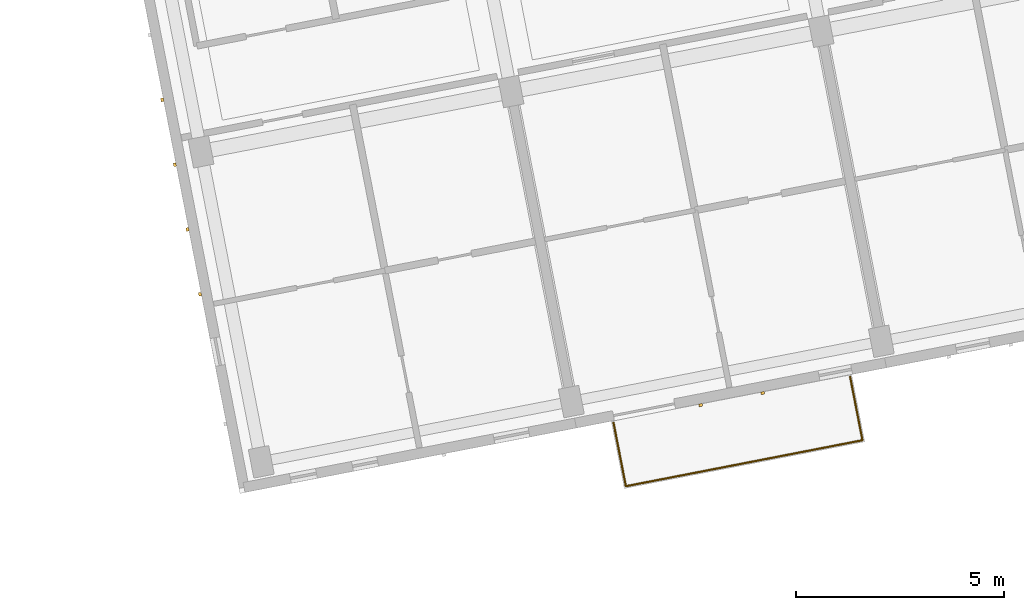
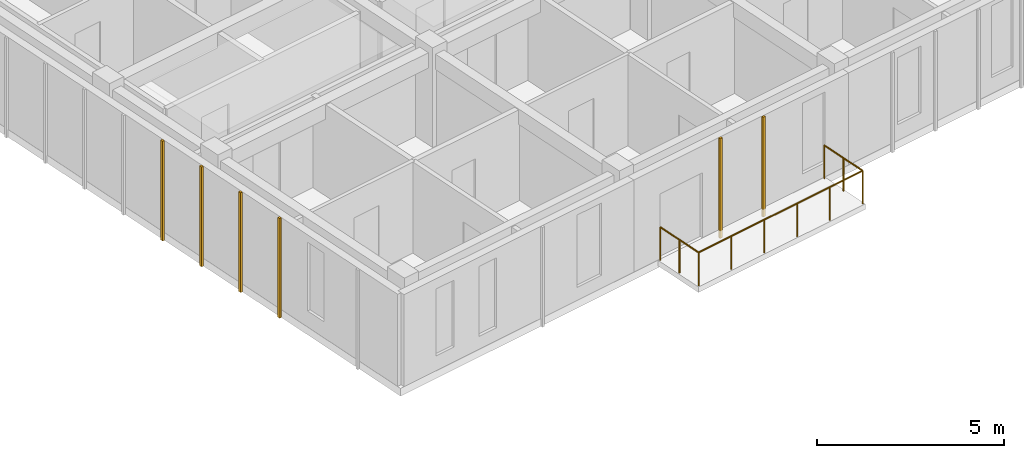
# One storey, part 48 of 74: 6 coverings, 1 railing.
"""IFC4 building model written with IfcOpenShell, lengths in metres."""

import ifcopenshell
import ifcopenshell.guid

model = None  # the IFC model being written
_history = None  # IfcOwnerHistory: only IFC2X3 demands one
_inside = {}  # id of a spatial element -> (the spatial element, [elements in it])
_under = {}  # id of a project, library or spatial element -> (it, [spatial elements below it])
_declared = {}  # id of a project -> (the project, [libraries it declares])
_typed = {}  # id of a type object -> (the type object, [elements of that type])
_made_of = {}  # id of a material, layer set ... -> (it, [elements and type objects made of it])


def new_model(schema):
    """Start an empty IFC model of exactly this schema.

    Asked for "IFC4X3", IfcOpenShell would pick the latest addendum, in which some entities
    have other attributes; the version numbers below select the first issue.
    IFC2X3 requires an IfcOwnerHistory on every rooted entity: one is made here for all.
    """
    global model, _history
    if schema == "IFC4X3":
        model = ifcopenshell.file(schema_version=(4, 3, 0, 0))
    else:
        model = ifcopenshell.file(schema=schema)
    _inside.clear()
    _under.clear()
    _declared.clear()
    _typed.clear()
    _made_of.clear()
    _history = None
    if model.schema == "IFC2X3":
        org = make("IfcOrganization", Name="unknown")
        user = make(
            "IfcPersonAndOrganization",
            ThePerson=make("IfcPerson", FamilyName="unknown"),
            TheOrganization=org,
        )
        app = make(
            "IfcApplication",
            ApplicationDeveloper=org,
            Version="unknown",
            ApplicationFullName="unknown",
            ApplicationIdentifier="unknown",
        )
        _history = make(
            "IfcOwnerHistory",
            OwningUser=user,
            OwningApplication=app,
            ChangeAction="ADDED",
            CreationDate=0,
        )
    return model


def make(cls, **values):
    """One entity of the class cls with the attributes given. An attribute that is None is left unset."""
    return model.create_entity(
        cls, **{name: value for name, value in values.items() if value is not None}
    )


def rooted(cls, **values):
    """An entity with a GlobalId (a new one), such as an element, a storey or a relation."""
    return make(cls, GlobalId=ifcopenshell.guid.new(), OwnerHistory=_history, **values)


def si_unit(unit_type, name, prefix=None):
    """IfcSIUnit, for example si_unit("LENGTHUNIT", "METRE", prefix="MILLI")."""
    return make("IfcSIUnit", UnitType=unit_type, Prefix=prefix, Name=name)


def assignment(units):
    """IfcUnitAssignment: the units of a project."""
    return None if units is None else make("IfcUnitAssignment", Units=units)


def point(xyz):
    """IfcCartesianPoint."""
    return None if xyz is None else make("IfcCartesianPoint", Coordinates=xyz)


def direction(xyz):
    """IfcDirection."""
    return None if xyz is None else make("IfcDirection", DirectionRatios=xyz)


def frame(location, z_axis=None, x_axis=None):
    """IfcAxis2Placement3D, a coordinate frame: its origin and axes. An axis left out is left unset."""
    return make(
        "IfcAxis2Placement3D",
        Location=point(location),
        Axis=direction(z_axis),
        RefDirection=direction(x_axis),
    )


def frame_2d(location, x_axis=None):
    """IfcAxis2Placement2D, a coordinate frame in the plane: its origin and x axis."""
    return make(
        "IfcAxis2Placement2D", Location=point(location), RefDirection=direction(x_axis)
    )


def origin():
    """The frame at (0, 0, 0) with its axes left unset."""
    return frame((0.0, 0.0, 0.0))


def origin_2d():
    """The frame at (0, 0) in the plane with its x axis left unset."""
    return frame_2d((0.0, 0.0))


def place(relative_to, where):
    """IfcLocalPlacement: puts the frame where relative to a parent placement (None: the world)."""
    return make(
        "IfcLocalPlacement", PlacementRelTo=relative_to, RelativePlacement=where
    )


def context(
    kind, dimensions, precision=None, world=None, true_north=None, identifier=None
):
    """IfcGeometricRepresentationContext, for example the 3D "Model" context."""
    return make(
        "IfcGeometricRepresentationContext",
        ContextIdentifier=identifier,
        ContextType=kind,
        CoordinateSpaceDimension=dimensions,
        Precision=precision,
        WorldCoordinateSystem=world,
        TrueNorth=true_north,
    )


def subcontext(parent, identifier, kind, view, scale=None):
    """IfcGeometricRepresentationSubContext, for example "Body" below "Model"."""
    return make(
        "IfcGeometricRepresentationSubContext",
        ContextIdentifier=identifier,
        ContextType=kind,
        ParentContext=parent,
        TargetScale=scale,
        TargetView=view,
    )


def project(units=None, contexts=None):
    """IfcProject with its units and contexts."""
    return rooted(
        "IfcProject",
        Name="project",
        RepresentationContexts=contexts,
        UnitsInContext=assignment(units),
    )


def spatial(cls, under=None, at=None, **own):
    """A site, building, storey or space (cls), placed at a placement, below another one or the project."""
    s = rooted(cls, ObjectPlacement=at, **own)
    if under is not None:
        _under.setdefault(under.id(), (under, []))[1].append(s)
    return s


def profile(cls, at=None, kind="AREA", **sizes):
    """A parametric profile (cls). Its sizes go by their IFC names, for example OverallWidth=200.0."""
    return make(cls, ProfileType=kind, Position=at, **sizes)


def rectangle(**sizes):
    """IfcRectangleProfileDef."""
    return profile("IfcRectangleProfileDef", **sizes)


def circle(**sizes):
    """IfcCircleProfileDef."""
    return profile("IfcCircleProfileDef", **sizes)


def extrude(swept, where, along, depth):
    """IfcExtrudedAreaSolid: the profile swept, set in the frame where, extruded along a direction by depth."""
    return make(
        "IfcExtrudedAreaSolid",
        SweptArea=swept,
        Position=where,
        ExtrudedDirection=direction(along),
        Depth=depth,
    )


def shape(context_of_items, identifier, shape_type, items):
    """IfcShapeRepresentation: the items that make up one representation, for example the "Body"."""
    return make(
        "IfcShapeRepresentation",
        ContextOfItems=context_of_items,
        RepresentationIdentifier=identifier,
        RepresentationType=shape_type,
        Items=items,
    )


def material(Name=None, Category=None):
    """IfcMaterial."""
    return make("IfcMaterial", Name=Name, Category=Category)


def layer(
    of_material, thickness, ventilated=None, Name=None, Category=None, Priority=None
):
    """IfcMaterialLayer: one layer of a wall or slab, of a material (None: an air gap)."""
    return make(
        "IfcMaterialLayer",
        Material=of_material,
        LayerThickness=thickness,
        IsVentilated=ventilated,
        Name=Name,
        Category=Category,
        Priority=Priority,
    )


def layer_set(layers, Name=None):
    """IfcMaterialLayerSet."""
    return make("IfcMaterialLayerSet", MaterialLayers=layers, LayerSetName=Name)


def made_of(thing, what):
    """Note that an element or type object is made of a material, layer set ...; save() writes the relation."""
    if what is not None:
        _made_of.setdefault(what.id(), (what, []))[1].append(thing)
    return thing


def type_object(cls, material=None, **own):
    """A type object (cls), such as IfcWallType, which elements share."""
    return made_of(rooted(cls, **own), material)


def element(
    cls,
    number,
    at=None,
    inside=None,
    cuts=None,
    type_object=None,
    material=None,
    context=None,
    identifier="Body",
    shape_type=None,
    held_by="IfcProductDefinitionShape",
    body=None,
    shapes=None,
    **own,
):
    """One element of the class cls, such as IfcWall. Its Tag is "e" and its number.

    at: its placement. inside: the storey or other place that contains it. cuts: it is an
    opening in that element (IfcRelVoidsElement). A single representation is given by context,
    identifier, shape_type and body (its items); several are given by shapes. held_by: the class
    of the entity that holds the representations. save() writes the other relations.
    """
    e = rooted(cls, Tag="e%d" % number, ObjectPlacement=at, **own)
    if body is not None:
        shapes = [shape(context, identifier, shape_type, body)]
    if shapes is not None:
        e.Representation = make(held_by, Representations=shapes)
    if inside is not None:
        _inside.setdefault(inside.id(), (inside, []))[1].append(e)
    if cuts is not None:
        rooted(
            "IfcRelVoidsElement", RelatingBuildingElement=cuts, RelatedOpeningElement=e
        )
    if type_object is not None:
        _typed.setdefault(type_object.id(), (type_object, []))[1].append(e)
    return made_of(e, material)


def aggregate(whole, parts):
    """IfcRelAggregates: a whole, such as a stair, and the parts it consists of."""
    return rooted("IfcRelAggregates", RelatingObject=whole, RelatedObjects=parts)


def save(model, path):
    """Write the relations noted so far, then the file.

    IfcRelAggregates (storeys below a building ...), IfcRelContainedInSpatialStructure (elements
    in a storey), IfcRelDefinesByType, IfcRelAssociatesMaterial and IfcRelDeclares: one each for
    every whole, place, type object, material and project.
    """
    for whole, parts in _under.values():
        aggregate(whole, parts)
    for where, things in _inside.values():
        rooted(
            "IfcRelContainedInSpatialStructure",
            RelatedElements=things,
            RelatingStructure=where,
        )
    for kind, things in _typed.values():
        rooted("IfcRelDefinesByType", RelatedObjects=things, RelatingType=kind)
    for what, things in _made_of.values():
        rooted("IfcRelAssociatesMaterial", RelatedObjects=things, RelatingMaterial=what)
    for by, libraries in _declared.values():
        rooted("IfcRelDeclares", RelatingContext=by, RelatedDefinitions=libraries)
    model.write(path)


model = new_model("IFC4")

# Units and contexts
model_context = context("Model", 3, precision=1e-05, world=origin(), true_north=direction((0.0, 1.0)))
body_context = subcontext(model_context, "Body", "Model", "MODEL_VIEW")
ifc_project = project(units=[si_unit("LENGTHUNIT", "METRE"), si_unit("AREAUNIT", "SQUARE_METRE"), si_unit("VOLUMEUNIT", "CUBIC_METRE"), si_unit("PLANEANGLEUNIT", "RADIAN"), si_unit("MASSUNIT", "GRAM", prefix="KILO")], contexts=[model_context])

# Site, building, storey
site_placement = place(None, origin())
site = spatial("IfcSite", under=ifc_project, at=site_placement, CompositionType="ELEMENT")
building_placement = place(site_placement, origin())
building = spatial("IfcBuilding", under=site, at=building_placement, Name="Kestramere Prow Commons", CompositionType="ELEMENT")
storey_placement = place(building_placement, frame((0.0, 0.0, 11.64990234375)))
storey = spatial("IfcBuildingStorey", under=building, at=storey_placement, Name="L03", CompositionType="ELEMENT", Elevation=11.64990234375)

# Coverings
ifc_material_1 = material(Name="Weathered Zinc-Titanium Standing-Seam Cladding")
ifc_layer = layer(ifc_material_1, 0.074951171875)
ifc_layer_set = layer_set([ifc_layer], Name="Weathered Zinc-Titanium Standing-Seam Cladding")
covering_type = type_object("IfcCoveringType", Name="COV-CLAD-SEAM", PredefinedType="CLADDING", material=ifc_layer_set)
for number, where, z_axis, x_axis, name in (
    (1, (130.4658203125, 35.6552734375, -0.25), (0.0, 0.0, 1.0), (-0.981627183448, -0.190808995377, 0.0), "EW-D-L03-S-1 Standing-Seam Rib 2"),
    (2, (128.973876953125, 35.365234375, -0.25), (0.0, 0.0, 1.0), (-0.981627183448, -0.190808995377, 0.0), "EW-D-L03-S-1 Standing-Seam Rib 3"),
    (3, (116.92578125, 38.033203125, -0.25), (0.0, 0.0, 1.0), (-0.190808995377, 0.981627183448, 0.0), "EW-D-L03-EAV Standing-Seam Rib 3"),
    (4, (116.622802734375, 39.592529296875, -0.25), (0.0, 0.0, 1.0), (-0.190808995377, 0.981627183448, 0.0), "EW-D-L03-EAV Standing-Seam Rib 4"),
    (5, (116.319580078125, 41.15185546875, -0.25), (0.0, 0.0, 1.0), (-0.190808995377, 0.981627183448, 0.0), "EW-D-L03-EAV Standing-Seam Rib 5"),
    (6, (116.0166015625, 42.7109375, -0.25), (0.0, 0.0, 1.0), (-0.190808995377, 0.981627183448, 0.0), "EW-D-L03-EAV Standing-Seam Rib 6"),
):
    element("IfcCovering", number, at=place(storey_placement, frame(where, z_axis=z_axis, x_axis=x_axis)), inside=storey, type_object=covering_type, Name=name, PredefinedType="CLADDING", context=body_context, shape_type="SweptSolid", body=[
        extrude(rectangle(XDim=0.0849609375, YDim=0.06494140625, at=origin_2d()), origin(), (0.0, 0.0, 1.0), 3.25),
    ])

# Railing
ifc_material_2 = material(Name="Powder-Coated Aluminium 6063-T6", Category="aluminium")
railing_type = type_object("IfcRailingType", Name="GRD-BALC-1100", PredefinedType="BALUSTRADE", material=ifc_material_2)
railing_placement = place(storey_placement, frame((126.87548828125, 34.944580078125, 0.0)))
element("IfcRailing", 7, at=railing_placement, inside=storey, type_object=railing_type, Name="Block D L03 Balcony Guardrail 2", PredefinedType="BALUSTRADE", context=body_context, shape_type="SweptSolid", body=[
    extrude(circle(Radius=0.02392578125, at=origin_2d()), frame((0.0, 0.0, 1.076171875), z_axis=(0.19078587602, -0.981631677113, 0.0), x_axis=(0.981631677113, 0.19078587602, 0.0)), (0.0, 0.0, 1.0), 1.559814453125),
    extrude(circle(Radius=0.02392578125, at=origin_2d()), frame((0.297607421875, -1.53125, 1.076171875), z_axis=(0.981628312332, 0.190803187676, 0.0), x_axis=(-0.190803187676, 0.981628312332, 0.0)), (0.0, 0.0, 1.0), 5.800048828125),
    extrude(circle(Radius=0.02392578125, at=origin_2d()), frame((5.9912109375, -0.424560546875, 1.076171875), z_axis=(-0.190936682564, 0.981602354954, 0.0), x_axis=(-0.981602354954, -0.190936682564, 0.0)), (0.0, 0.0, 1.0), 1.56005859375),
    extrude(circle(Radius=0.02099609375, at=origin_2d()), origin(), (0.0, 0.0, 1.0), 1.052001953125),
    extrude(circle(Radius=0.02099609375, at=origin_2d()), frame((0.14892578125, -0.765625, 0.0)), (0.0, 0.0, 1.0), 1.052001953125),
    extrude(circle(Radius=0.02099609375, at=origin_2d()), frame((0.297607421875, -1.53125, 0.0)), (0.0, 0.0, 1.0), 1.052001953125),
    extrude(circle(Radius=0.02099609375, at=origin_2d()), frame((1.436279296875, -1.309814453125, 0.0)), (0.0, 0.0, 1.0), 1.052001953125),
    extrude(circle(Radius=0.02099609375, at=origin_2d()), frame((2.574951171875, -1.088623046875, 0.0)), (0.0, 0.0, 1.0), 1.052001953125),
    extrude(circle(Radius=0.02099609375, at=origin_2d()), frame((3.7138671875, -0.8671875, 0.0)), (0.0, 0.0, 1.0), 1.052001953125),
    extrude(circle(Radius=0.02099609375, at=origin_2d()), frame((4.8525390625, -0.64599609375, 0.0)), (0.0, 0.0, 1.0), 1.052001953125),
    extrude(circle(Radius=0.02099609375, at=origin_2d()), frame((5.9912109375, -0.424560546875, 0.0)), (0.0, 0.0, 1.0), 1.052001953125),
    extrude(circle(Radius=0.02099609375, at=origin_2d()), frame((5.84228515625, 0.341064453125, 0.0)), (0.0, 0.0, 1.0), 1.052001953125),
    extrude(circle(Radius=0.02099609375, at=origin_2d()), frame((5.693359375, 1.106689453125, 0.0)), (0.0, 0.0, 1.0), 1.052001953125),
])

save(model, "model.ifc")
